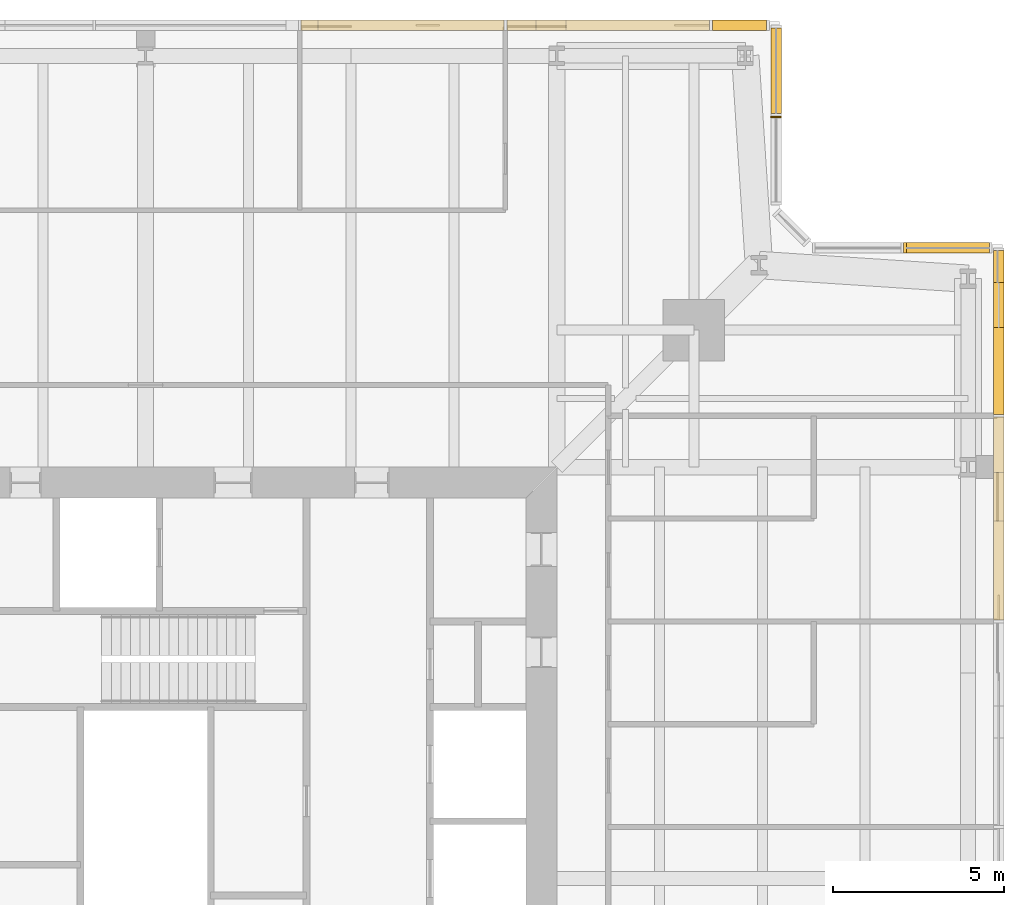
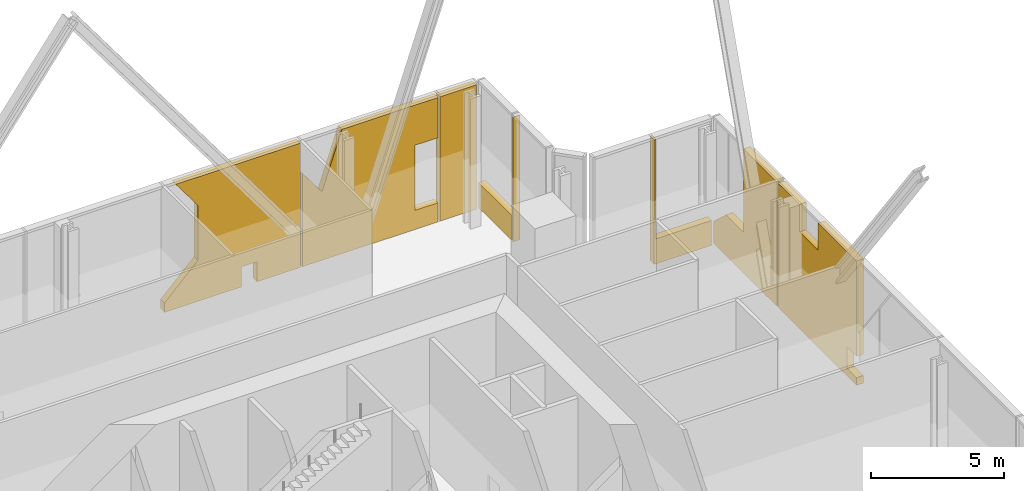
# One storey, part 19 of 20: 8 coverings.
"""IFC4 building model written with IfcOpenShell, lengths in metres."""

from ifc_helpers import new_model, si_unit, direction, frame, origin, place, context, subcontext, project, spatial, polyline, outline, extrude, material, layer, layer_set, type_object, element, save


model = new_model("IFC4")

# Units and contexts
model_context = context("Model", 3, precision=1e-05, world=origin(), true_north=direction((0.0, 1.0)))
body_context = subcontext(model_context, "Body", "Model", "MODEL_VIEW")
ifc_project = project(units=[si_unit("LENGTHUNIT", "METRE"), si_unit("AREAUNIT", "SQUARE_METRE"), si_unit("VOLUMEUNIT", "CUBIC_METRE"), si_unit("PLANEANGLEUNIT", "RADIAN"), si_unit("MASSUNIT", "GRAM", prefix="KILO")], contexts=[model_context])

# Site, building, storey
site_placement = place(None, origin())
site = spatial("IfcSite", under=ifc_project, at=site_placement, CompositionType="ELEMENT")
building_placement = place(site_placement, origin())
building = spatial("IfcBuilding", under=site, at=building_placement, Name="Fenwick Lantern Interchange", CompositionType="ELEMENT")
storey_placement = place(building_placement, frame((0.0, 0.0, 239.800048828125)))
storey = spatial("IfcBuildingStorey", under=building, at=storey_placement, Name="L56", CompositionType="ELEMENT", Elevation=239.800048828125)

# Coverings
ifc_material = material(Name="Granite cladding, warm grey flamed finish, on aluminium carrier frame", Category="masonry")
ifc_layer = layer(ifc_material, 0.300048828125)
ifc_layer_set = layer_set([ifc_layer], Name="BRACE CASING PANEL 300")
covering_type = type_object("IfcCoveringType", Name="BRACE CASING PANEL 300", PredefinedType="CLADDING", material=ifc_layer_set)
covering_1_placement = place(storey_placement, frame((49.89990234375, 6.60009765625, 0.0), z_axis=(0.0, 0.0, 1.0), x_axis=(0.0, 1.0, 0.0)))
element("IfcCovering", 1, at=covering_1_placement, inside=storey, type_object=covering_type, Name="Brace casing 05 bay 05a", PredefinedType="CLADDING", context=body_context, shape_type="SweptSolid", body=[
    extrude(outline(polyline([(25.93994140625, 0.0), (31.860107421875, 0.0), (31.860107421875, 5.72998046875), (30.241455078125, 5.72998046875), (30.241455078125, 4.460693359375), (28.83642578125, 4.460693359375), (28.83642578125, 5.72998046875), (25.93994140625, 5.72998046875), (25.93994140625, 1.338623046875), (26.6650390625, 1.338623046875), (26.6650390625, 0.35546875), (25.93994140625, 0.35546875), (25.93994140625, 0.0)])), frame((0.0, 0.14990234375, 0.0), z_axis=(0.0, -1.0, 0.0), x_axis=(1.0, 0.0, 0.0)), (0.0, 0.0, 1.0), 0.300048828125),
])
covering_2_placement = place(storey_placement, frame((49.89990234375, 6.60009765625, 0.0), z_axis=(0.0, 0.0, 1.0), x_axis=(0.0, 1.0, 0.0)))
element("IfcCovering", 2, at=covering_2_placement, inside=storey, type_object=covering_type, Name="Brace casing 05 bay 06a", PredefinedType="CLADDING", context=body_context, shape_type="SweptSolid", body=[
    extrude(outline(polyline([(31.93994140625, 0.0), (36.719970703125, 0.0), (36.719970703125, 1.0400390625), (35.789306640625, 1.89306640625), (34.47021484375, 1.89306640625), (34.47021484375, 5.72998046875), (31.93994140625, 5.72998046875), (31.93994140625, 0.0)])), frame((0.0, 0.14990234375, 0.0), z_axis=(0.0, -1.0, 0.0), x_axis=(1.0, 0.0, 0.0)), (0.0, 0.0, 1.0), 0.300048828125),
])
covering_3_placement = place(storey_placement, frame((49.89990234375, 43.39990234375, 0.0), z_axis=(0.0, 0.0, 1.0), x_axis=(-1.0, 0.0, 0.0)))
element("IfcCovering", 3, at=covering_3_placement, inside=storey, type_object=covering_type, Name="Brace casing 06 bay 00a", PredefinedType="CLADDING", context=body_context, shape_type="SweptSolid", body=[
    extrude(outline(polyline([(0.280029296875, 0.0), (2.78076171875, 0.0), (2.78076171875, 5.72998046875), (2.699951171875, 5.72998046875), (2.699951171875, 1.14990234375), (0.280029296875, 1.14990234375), (0.280029296875, 0.0)])), frame((0.0, 0.14990234375, 0.0), z_axis=(0.0, -1.0, 0.0), x_axis=(1.0, 0.0, 0.0)), (0.0, 0.0, 1.0), 0.300048828125),
])
covering_4_placement = place(storey_placement, frame((43.39990234375, 44.45849609375, 0.0), z_axis=(0.0, 0.0, 1.0), x_axis=(0.0, 1.0, 0.0)))
element("IfcCovering", 4, at=covering_4_placement, inside=storey, type_object=covering_type, Name="Brace casing 08 bay 00a", PredefinedType="CLADDING", context=body_context, shape_type="SweptSolid", body=[
    extrude(outline(polyline([(2.741455078125, 0.0), (2.78076171875, 0.0), (2.78076171875, 5.72998046875), (2.741455078125, 5.72998046875), (2.741455078125, 0.0)])), frame((0.0, 0.14990234375, 0.0), z_axis=(0.0, -1.0, 0.0), x_axis=(1.0, 0.0, 0.0)), (0.0, 0.0, 1.0), 0.300048828125),
])
covering_5_placement = place(storey_placement, frame((43.39990234375, 44.45849609375, 0.0), z_axis=(0.0, 0.0, 1.0), x_axis=(0.0, 1.0, 0.0)))
element("IfcCovering", 5, at=covering_5_placement, inside=storey, type_object=covering_type, Name="Brace casing 08 bay 01a", PredefinedType="CLADDING", context=body_context, shape_type="SweptSolid", body=[
    extrude(outline(polyline([(2.860595703125, 0.0), (5.361328125, 0.0), (5.361328125, 1.14990234375), (2.860595703125, 1.14990234375), (2.860595703125, 0.0)])), frame((0.0, 0.14990234375, 0.0), z_axis=(0.0, -1.0, 0.0), x_axis=(1.0, 0.0, 0.0)), (0.0, 0.0, 1.0), 0.300048828125),
])
covering_6_placement = place(storey_placement, frame((43.39990234375, 49.89990234375, 0.0), z_axis=(0.0, 0.0, 1.0), x_axis=(-1.0, 0.0, 0.0)))
element("IfcCovering", 6, at=covering_6_placement, inside=storey, type_object=covering_type, Name="Brace casing 09 bay 00a", PredefinedType="CLADDING", context=body_context, shape_type="SweptSolid", body=[
    extrude(outline(polyline([(0.280029296875, 0.0), (1.860107421875, 0.0), (1.860107421875, 5.72998046875), (0.280029296875, 5.72998046875), (0.280029296875, 0.0)])), frame((0.0, 0.14990234375, 0.0), z_axis=(0.0, -1.0, 0.0), x_axis=(1.0, 0.0, 0.0)), (0.0, 0.0, 1.0), 0.300048828125),
])
covering_7_placement = place(storey_placement, frame((43.39990234375, 49.89990234375, 0.0), z_axis=(0.0, 0.0, 1.0), x_axis=(-1.0, 0.0, 0.0)))
element("IfcCovering", 7, at=covering_7_placement, inside=storey, type_object=covering_type, Name="Brace casing 09 bay 01a", PredefinedType="CLADDING", context=body_context, shape_type="SweptSolid", body=[
    extrude(outline(polyline([(1.93994140625, 0.0), (7.860107421875, 0.0), (7.860107421875, 4.320068359375), (7.0, 3.152587890625), (6.1298828125, 5.72998046875), (1.93994140625, 5.72998046875), (1.93994140625, 3.8798828125), (2.955078125, 3.8798828125), (2.955078125, 0.879150390625), (1.93994140625, 0.879150390625), (1.93994140625, 0.0)])), frame((0.0, 0.14990234375, 0.0), z_axis=(0.0, -1.0, 0.0), x_axis=(1.0, 0.0, 0.0)), (0.0, 0.0, 1.0), 0.300048828125),
])
covering_8_placement = place(storey_placement, frame((43.39990234375, 49.89990234375, 0.0), z_axis=(0.0, 0.0, 1.0), x_axis=(-1.0, 0.0, 0.0)))
element("IfcCovering", 8, at=covering_8_placement, inside=storey, type_object=covering_type, Name="Brace casing 09 bay 02a", PredefinedType="CLADDING", context=body_context, shape_type="SweptSolid", body=[
    extrude(outline(polyline([(7.93994140625, 0.0), (9.8291015625, 0.0), (9.8291015625, 0.923095703125), (10.504150390625, 0.923095703125), (10.504150390625, 0.0), (13.860107421875, 0.0), (13.860107421875, 0.435546875), (12.39990234375, 1.8955078125), (12.39990234375, 4.413330078125), (13.36962890625, 5.72998046875), (7.93994140625, 5.72998046875), (7.93994140625, 0.0)])), frame((0.0, 0.14990234375, 0.0), z_axis=(0.0, -1.0, 0.0), x_axis=(1.0, 0.0, 0.0)), (0.0, 0.0, 1.0), 0.300048828125),
])

save(model, "model.ifc")
